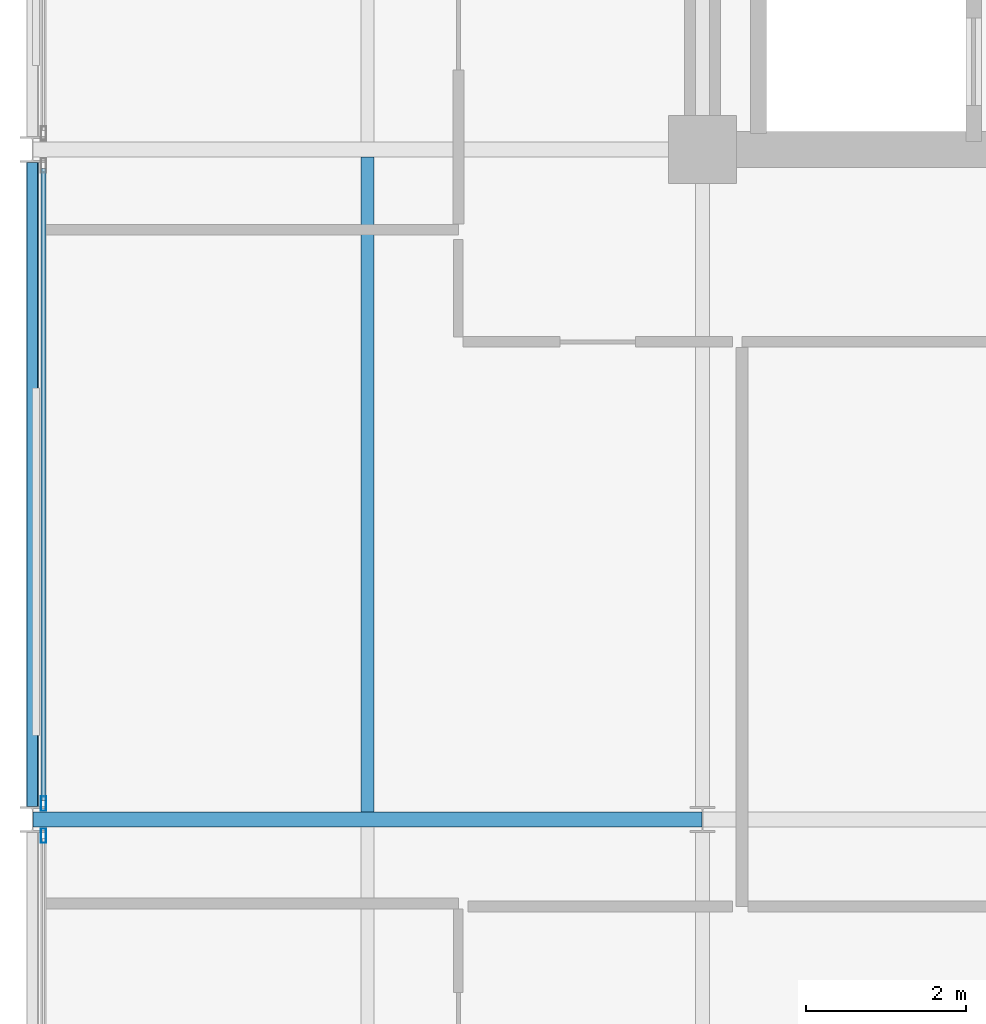
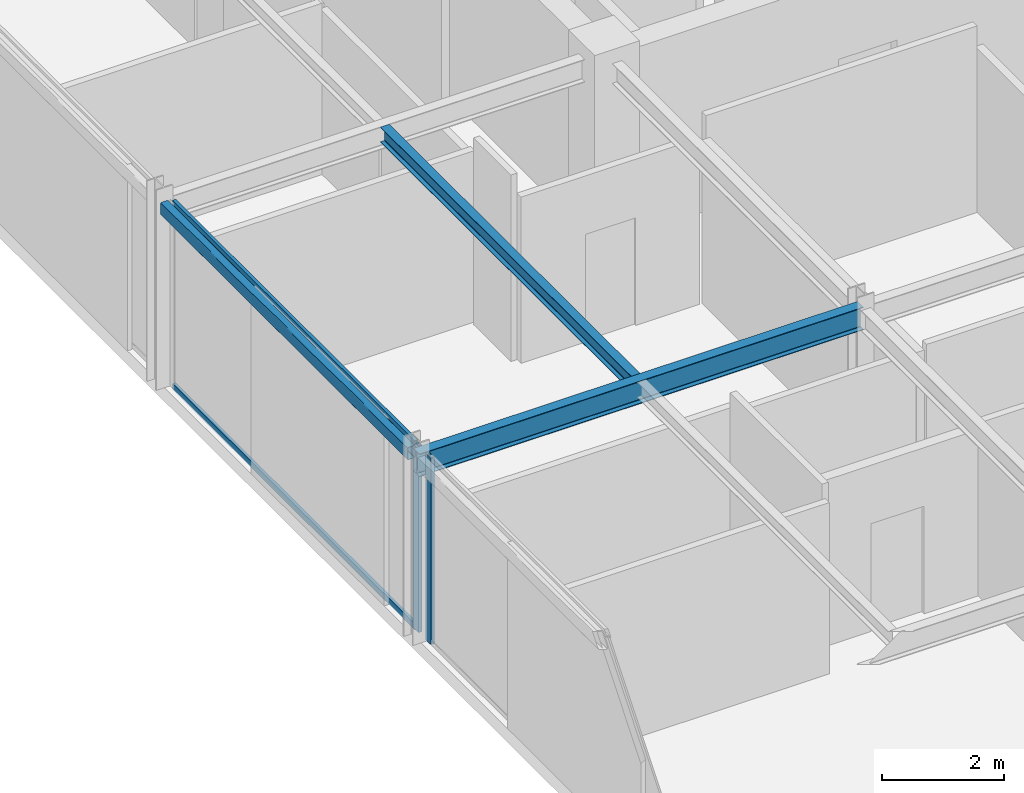
# One storey, part 9 of 24: 4 members, 3 beams, 2 elements without a shape of their own.
"""IFC4 building model written with IfcOpenShell, lengths in metres."""

import ifcopenshell
import ifcopenshell.guid

model = None  # the IFC model being written
_history = None  # IfcOwnerHistory: only IFC2X3 demands one
_inside = {}  # id of a spatial element -> (the spatial element, [elements in it])
_under = {}  # id of a project, library or spatial element -> (it, [spatial elements below it])
_declared = {}  # id of a project -> (the project, [libraries it declares])
_typed = {}  # id of a type object -> (the type object, [elements of that type])
_made_of = {}  # id of a material, layer set ... -> (it, [elements and type objects made of it])


def new_model(schema):
    """Start an empty IFC model of exactly this schema.

    Asked for "IFC4X3", IfcOpenShell would pick the latest addendum, in which some entities
    have other attributes; the version numbers below select the first issue.
    IFC2X3 requires an IfcOwnerHistory on every rooted entity: one is made here for all.
    """
    global model, _history
    if schema == "IFC4X3":
        model = ifcopenshell.file(schema_version=(4, 3, 0, 0))
    else:
        model = ifcopenshell.file(schema=schema)
    _inside.clear()
    _under.clear()
    _declared.clear()
    _typed.clear()
    _made_of.clear()
    _history = None
    if model.schema == "IFC2X3":
        org = make("IfcOrganization", Name="unknown")
        user = make(
            "IfcPersonAndOrganization",
            ThePerson=make("IfcPerson", FamilyName="unknown"),
            TheOrganization=org,
        )
        app = make(
            "IfcApplication",
            ApplicationDeveloper=org,
            Version="unknown",
            ApplicationFullName="unknown",
            ApplicationIdentifier="unknown",
        )
        _history = make(
            "IfcOwnerHistory",
            OwningUser=user,
            OwningApplication=app,
            ChangeAction="ADDED",
            CreationDate=0,
        )
    return model


def make(cls, **values):
    """One entity of the class cls with the attributes given. An attribute that is None is left unset."""
    return model.create_entity(
        cls, **{name: value for name, value in values.items() if value is not None}
    )


def rooted(cls, **values):
    """An entity with a GlobalId (a new one), such as an element, a storey or a relation."""
    return make(cls, GlobalId=ifcopenshell.guid.new(), OwnerHistory=_history, **values)


def si_unit(unit_type, name, prefix=None):
    """IfcSIUnit, for example si_unit("LENGTHUNIT", "METRE", prefix="MILLI")."""
    return make("IfcSIUnit", UnitType=unit_type, Prefix=prefix, Name=name)


def assignment(units):
    """IfcUnitAssignment: the units of a project."""
    return None if units is None else make("IfcUnitAssignment", Units=units)


def point(xyz):
    """IfcCartesianPoint."""
    return None if xyz is None else make("IfcCartesianPoint", Coordinates=xyz)


def direction(xyz):
    """IfcDirection."""
    return None if xyz is None else make("IfcDirection", DirectionRatios=xyz)


def frame(location, z_axis=None, x_axis=None):
    """IfcAxis2Placement3D, a coordinate frame: its origin and axes. An axis left out is left unset."""
    return make(
        "IfcAxis2Placement3D",
        Location=point(location),
        Axis=direction(z_axis),
        RefDirection=direction(x_axis),
    )


def frame_2d(location, x_axis=None):
    """IfcAxis2Placement2D, a coordinate frame in the plane: its origin and x axis."""
    return make(
        "IfcAxis2Placement2D", Location=point(location), RefDirection=direction(x_axis)
    )


def origin():
    """The frame at (0, 0, 0) with its axes left unset."""
    return frame((0.0, 0.0, 0.0))


def origin_2d():
    """The frame at (0, 0) in the plane with its x axis left unset."""
    return frame_2d((0.0, 0.0))


def place(relative_to, where):
    """IfcLocalPlacement: puts the frame where relative to a parent placement (None: the world)."""
    return make(
        "IfcLocalPlacement", PlacementRelTo=relative_to, RelativePlacement=where
    )


def context(
    kind, dimensions, precision=None, world=None, true_north=None, identifier=None
):
    """IfcGeometricRepresentationContext, for example the 3D "Model" context."""
    return make(
        "IfcGeometricRepresentationContext",
        ContextIdentifier=identifier,
        ContextType=kind,
        CoordinateSpaceDimension=dimensions,
        Precision=precision,
        WorldCoordinateSystem=world,
        TrueNorth=true_north,
    )


def subcontext(parent, identifier, kind, view, scale=None):
    """IfcGeometricRepresentationSubContext, for example "Body" below "Model"."""
    return make(
        "IfcGeometricRepresentationSubContext",
        ContextIdentifier=identifier,
        ContextType=kind,
        ParentContext=parent,
        TargetScale=scale,
        TargetView=view,
    )


def project(units=None, contexts=None):
    """IfcProject with its units and contexts."""
    return rooted(
        "IfcProject",
        Name="project",
        RepresentationContexts=contexts,
        UnitsInContext=assignment(units),
    )


def spatial(cls, under=None, at=None, **own):
    """A site, building, storey or space (cls), placed at a placement, below another one or the project."""
    s = rooted(cls, ObjectPlacement=at, **own)
    if under is not None:
        _under.setdefault(under.id(), (under, []))[1].append(s)
    return s


def profile(cls, at=None, kind="AREA", **sizes):
    """A parametric profile (cls). Its sizes go by their IFC names, for example OverallWidth=200.0."""
    return make(cls, ProfileType=kind, Position=at, **sizes)


def hollow_rectangle(**sizes):
    """IfcRectangleHollowProfileDef."""
    return profile("IfcRectangleHollowProfileDef", **sizes)


def i_section(**sizes):
    """IfcIShapeProfileDef."""
    return profile("IfcIShapeProfileDef", **sizes)


def extrude(swept, where, along, depth):
    """IfcExtrudedAreaSolid: the profile swept, set in the frame where, extruded along a direction by depth."""
    return make(
        "IfcExtrudedAreaSolid",
        SweptArea=swept,
        Position=where,
        ExtrudedDirection=direction(along),
        Depth=depth,
    )


def shape(context_of_items, identifier, shape_type, items):
    """IfcShapeRepresentation: the items that make up one representation, for example the "Body"."""
    return make(
        "IfcShapeRepresentation",
        ContextOfItems=context_of_items,
        RepresentationIdentifier=identifier,
        RepresentationType=shape_type,
        Items=items,
    )


def material(Name=None, Category=None):
    """IfcMaterial."""
    return make("IfcMaterial", Name=Name, Category=Category)


def layer(
    of_material, thickness, ventilated=None, Name=None, Category=None, Priority=None
):
    """IfcMaterialLayer: one layer of a wall or slab, of a material (None: an air gap)."""
    return make(
        "IfcMaterialLayer",
        Material=of_material,
        LayerThickness=thickness,
        IsVentilated=ventilated,
        Name=Name,
        Category=Category,
        Priority=Priority,
    )


def layer_set(layers, Name=None):
    """IfcMaterialLayerSet."""
    return make("IfcMaterialLayerSet", MaterialLayers=layers, LayerSetName=Name)


def material_profile(
    of_material, cross_section, Name=None, Category=None, Priority=None
):
    """IfcMaterialProfile: a cross section and its material."""
    return make(
        "IfcMaterialProfile",
        Name=Name,
        Material=of_material,
        Profile=cross_section,
        Priority=Priority,
        Category=Category,
    )


def profile_set(profiles, Name=None, composite=None):
    """IfcMaterialProfileSet."""
    return make(
        "IfcMaterialProfileSet",
        Name=Name,
        MaterialProfiles=profiles,
        CompositeProfile=composite,
    )


def made_of(thing, what):
    """Note that an element or type object is made of a material, layer set ...; save() writes the relation."""
    if what is not None:
        _made_of.setdefault(what.id(), (what, []))[1].append(thing)
    return thing


def type_object(cls, material=None, **own):
    """A type object (cls), such as IfcWallType, which elements share."""
    return made_of(rooted(cls, **own), material)


def element(
    cls,
    number,
    at=None,
    inside=None,
    cuts=None,
    type_object=None,
    material=None,
    context=None,
    identifier="Body",
    shape_type=None,
    held_by="IfcProductDefinitionShape",
    body=None,
    shapes=None,
    **own,
):
    """One element of the class cls, such as IfcWall. Its Tag is "e" and its number.

    at: its placement. inside: the storey or other place that contains it. cuts: it is an
    opening in that element (IfcRelVoidsElement). A single representation is given by context,
    identifier, shape_type and body (its items); several are given by shapes. held_by: the class
    of the entity that holds the representations. save() writes the other relations.
    """
    e = rooted(cls, Tag="e%d" % number, ObjectPlacement=at, **own)
    if body is not None:
        shapes = [shape(context, identifier, shape_type, body)]
    if shapes is not None:
        e.Representation = make(held_by, Representations=shapes)
    if inside is not None:
        _inside.setdefault(inside.id(), (inside, []))[1].append(e)
    if cuts is not None:
        rooted(
            "IfcRelVoidsElement", RelatingBuildingElement=cuts, RelatedOpeningElement=e
        )
    if type_object is not None:
        _typed.setdefault(type_object.id(), (type_object, []))[1].append(e)
    return made_of(e, material)


def aggregate(whole, parts):
    """IfcRelAggregates: a whole, such as a stair, and the parts it consists of."""
    return rooted("IfcRelAggregates", RelatingObject=whole, RelatedObjects=parts)


def save(model, path):
    """Write the relations noted so far, then the file.

    IfcRelAggregates (storeys below a building ...), IfcRelContainedInSpatialStructure (elements
    in a storey), IfcRelDefinesByType, IfcRelAssociatesMaterial and IfcRelDeclares: one each for
    every whole, place, type object, material and project.
    """
    for whole, parts in _under.values():
        aggregate(whole, parts)
    for where, things in _inside.values():
        rooted(
            "IfcRelContainedInSpatialStructure",
            RelatedElements=things,
            RelatingStructure=where,
        )
    for kind, things in _typed.values():
        rooted("IfcRelDefinesByType", RelatedObjects=things, RelatingType=kind)
    for what, things in _made_of.values():
        rooted("IfcRelAssociatesMaterial", RelatedObjects=things, RelatingMaterial=what)
    for by, libraries in _declared.values():
        rooted("IfcRelDeclares", RelatingContext=by, RelatedDefinitions=libraries)
    model.write(path)


model = new_model("IFC4")

# Units and contexts
model_context = context("Model", 3, precision=1e-05, world=origin(), true_north=direction((0.0, 1.0)))
body_context = subcontext(model_context, "Body", "Model", "MODEL_VIEW")
ifc_project = project(units=[si_unit("LENGTHUNIT", "METRE"), si_unit("AREAUNIT", "SQUARE_METRE"), si_unit("VOLUMEUNIT", "CUBIC_METRE"), si_unit("PLANEANGLEUNIT", "RADIAN"), si_unit("MASSUNIT", "GRAM", prefix="KILO")], contexts=[model_context])

# Site, building, storey
site_placement = place(None, origin())
site = spatial("IfcSite", under=ifc_project, at=site_placement, CompositionType="ELEMENT")
building_placement = place(site_placement, origin())
building = spatial("IfcBuilding", under=site, at=building_placement, Name="Nerrivon Quay Data Exchange", CompositionType="ELEMENT")
storey_placement = place(building_placement, frame((0.0, 0.0, 306.199951171875)))
storey = spatial("IfcBuildingStorey", under=building, at=storey_placement, Name="L73", CompositionType="ELEMENT", Elevation=306.199951171875)

# Beams
ifc_material_1 = material(Name="Steel Grade 350", Category="steel")
ifc_material_profile_1 = material_profile(ifc_material_1, i_section(OverallWidth=0.18994140625, OverallDepth=0.4541015625, WebThickness=0.008544921875, FlangeThickness=0.0126953125, FilletRadius=0.011474609375, at=origin_2d()), Name="460UB67.1")
ifc_profile_set_1 = profile_set([ifc_material_profile_1], Name="Steel Grade 350")
beam_type_1 = type_object("IfcBeamType", Name="BM-G6-460UB67", PredefinedType="BEAM", material=ifc_profile_set_1)
beam_1_placement = place(storey_placement, frame((0.0078125, 16.800048828125, 3.498046875), z_axis=(1.0, 0.0, 0.0), x_axis=(0.0, 1.0, 0.0)))
element("IfcBeam", 1, at=beam_1_placement, inside=storey, type_object=beam_type_1, Name="L73 EW Girder Y=16.8 (0.0..8.4)", PredefinedType="BEAM", context=body_context, shape_type="SweptSolid", body=[
    extrude(i_section(OverallWidth=0.18994140625, OverallDepth=0.4541015625, WebThickness=0.008544921875, FlangeThickness=0.0126953125, FilletRadius=0.011474609375, at=origin_2d()), origin(), (0.0, 0.0, 1.0), 8.38427734375),
])
ifc_material_profile_2 = material_profile(ifc_material_1, i_section(OverallWidth=0.1650390625, OverallDepth=0.303955078125, WebThickness=0.006103515625, FlangeThickness=0.01025390625, FilletRadius=0.011474609375, at=origin_2d()), Name="310UB40.4")
ifc_profile_set_2 = profile_set([ifc_material_profile_2], Name="Steel Grade 350")
beam_type_2 = type_object("IfcBeamType", Name="BM-J6-310UB40", PredefinedType="JOIST", material=ifc_profile_set_2)
beam_2_placement = place(storey_placement, frame((4.199951171875, 16.89501953125, 3.572998046875), z_axis=(0.0, 1.0, 0.0), x_axis=(-1.0, 0.0, 0.0)))
element("IfcBeam", 2, at=beam_2_placement, inside=storey, type_object=beam_type_2, Name="L73 Secondary Joist X=4.2 (16.8..25.2)", PredefinedType="JOIST", context=body_context, shape_type="SweptSolid", body=[
    extrude(i_section(OverallWidth=0.1650390625, OverallDepth=0.303955078125, WebThickness=0.006103515625, FlangeThickness=0.01025390625, FilletRadius=0.011474609375, at=origin_2d()), origin(), (0.0, 0.0, 1.0), 8.2099609375),
])
ifc_material_2 = material(Name="Steel Grade C350L0 (350 MPa)", Category="steel")
ifc_material_profile_3 = material_profile(ifc_material_2, hollow_rectangle(XDim=0.14990234375, YDim=0.25, WallThickness=0.009033203125, InnerFilletRadius=0.013427734375, OuterFilletRadius=0.0224609375, at=origin_2d()), Name="250x150x9.0RHS")
ifc_profile_set_3 = profile_set([ifc_material_profile_3], Name="Steel Grade C350L0 (350 MPa)")
beam_type_3 = type_object("IfcBeamType", Name="BM-SP4-250x150RHS", PredefinedType="SPANDREL", material=ifc_profile_set_3)
beam_3_placement = place(storey_placement, frame((0.0, 16.96337890625, 3.60009765625), z_axis=(0.0, 1.0, 0.0), x_axis=(-1.0, 0.0, 0.0)))
element("IfcBeam", 3, at=beam_3_placement, inside=storey, type_object=beam_type_3, Name="L73 NS Girder X=0.0 (16.8..25.2)", PredefinedType="SPANDREL", context=body_context, shape_type="SweptSolid", body=[
    extrude(hollow_rectangle(XDim=0.14990234375, YDim=0.25, WallThickness=0.009033203125, InnerFilletRadius=0.013427734375, OuterFilletRadius=0.0224609375, at=origin_2d()), origin(), (0.0, 0.0, 1.0), 8.0732421875),
])

# Curtain wall, member
ifc_material_3 = material(Name="Anodised aluminium 6063-T6", Category="aluminium")
ifc_layer = layer(ifc_material_3, 0.195068359375)
ifc_layer_set = layer_set([ifc_layer], Name="Anodised aluminium 6063-T6")
curtain_wall_type = type_object("IfcCurtainWallType", Name="CW-SYS-06", PredefinedType="NOTDEFINED", material=ifc_layer_set)
curtain_wall_1_placement = place(storey_placement, origin())
curtain_wall_1 = element("IfcCurtainWall", 4, at=curtain_wall_1_placement, inside=storey, type_object=curtain_wall_type, Name="L73 Unitised Curtain Wall 9", PredefinedType="NOTDEFINED")
ifc_material_profile_4 = material_profile(ifc_material_3, hollow_rectangle(XDim=0.06494140625, YDim=0.179931640625, WallThickness=0.00341796875, at=origin_2d()), Name="ALU-MULL-180x65")
ifc_profile_set_4 = profile_set([ifc_material_profile_4], Name="Anodised aluminium 6063-T6")
member_type_1 = type_object("IfcMemberType", Name="CWM-180x65", PredefinedType="MULLION", material=ifc_profile_set_4)
member_1_placement = place(storey_placement, frame((0.139892578125, 16.59912109375, 0.0), z_axis=(0.0, 0.0, 1.0), x_axis=(-1.0, 0.0, 0.0)))
member_1 = element("IfcMember", 5, at=member_1_placement, type_object=member_type_1, Name="CW06 mullion 2", PredefinedType="MULLION", context=body_context, shape_type="SweptSolid", body=[
    extrude(hollow_rectangle(XDim=0.06494140625, YDim=0.179931640625, WallThickness=0.00341796875, at=origin_2d()), origin(), (0.0, 0.0, 1.0), 3.72509765625),
])
aggregate(curtain_wall_1, [member_1])

# Curtain wall, members
curtain_wall_2_placement = place(storey_placement, origin())
curtain_wall_2 = element("IfcCurtainWall", 6, at=curtain_wall_2_placement, inside=storey, type_object=curtain_wall_type, Name="L73 Unitised Curtain Wall 10", PredefinedType="NOTDEFINED")
member_2_placement = place(storey_placement, frame((0.139892578125, 17.0009765625, 0.0), z_axis=(0.0, 0.0, 1.0), x_axis=(-1.0, 0.0, 0.0)))
member_2 = element("IfcMember", 7, at=member_2_placement, type_object=member_type_1, Name="CW06 mullion 1", PredefinedType="MULLION", context=body_context, shape_type="SweptSolid", body=[
    extrude(hollow_rectangle(XDim=0.06494140625, YDim=0.179931640625, WallThickness=0.00341796875, at=origin_2d()), origin(), (0.0, 0.0, 1.0), 3.72509765625),
])
ifc_material_profile_5 = material_profile(ifc_material_3, hollow_rectangle(XDim=0.06005859375, YDim=0.1201171875, WallThickness=0.003173828125, at=origin_2d()), Name="ALU-TRAN-120x60")
ifc_profile_set_5 = profile_set([ifc_material_profile_5], Name="Anodised aluminium 6063-T6")
member_type_2 = type_object("IfcMemberType", Name="CWT-120x60", PredefinedType="USERDEFINED", material=ifc_profile_set_5)
member_3_placement = place(storey_placement, frame((0.139892578125, 17.03857421875, 0.032470703125), z_axis=(0.0, 1.0, 0.0), x_axis=(-1.0, 0.0, 0.0)))
member_3 = element("IfcMember", 8, at=member_3_placement, type_object=member_type_2, Name="CW06 transom 1.1", ObjectType="TRANSOM", PredefinedType="USERDEFINED", context=body_context, shape_type="SweptSolid", body=[
    extrude(hollow_rectangle(XDim=0.06005859375, YDim=0.1201171875, WallThickness=0.003173828125, at=origin_2d()), origin(), (0.0, 0.0, 1.0), 7.9228515625),
])
member_4_placement = place(storey_placement, frame((0.139892578125, 17.03857421875, 3.692626953125), z_axis=(0.0, 1.0, 0.0), x_axis=(-1.0, 0.0, 0.0)))
member_4 = element("IfcMember", 9, at=member_4_placement, type_object=member_type_2, Name="CW06 transom 1.2", ObjectType="TRANSOM", PredefinedType="USERDEFINED", context=body_context, shape_type="SweptSolid", body=[
    extrude(hollow_rectangle(XDim=0.06005859375, YDim=0.1201171875, WallThickness=0.003173828125, at=origin_2d()), origin(), (0.0, 0.0, 1.0), 7.9228515625),
])
aggregate(curtain_wall_2, [member_2, member_3, member_4])

save(model, "model.ifc")
